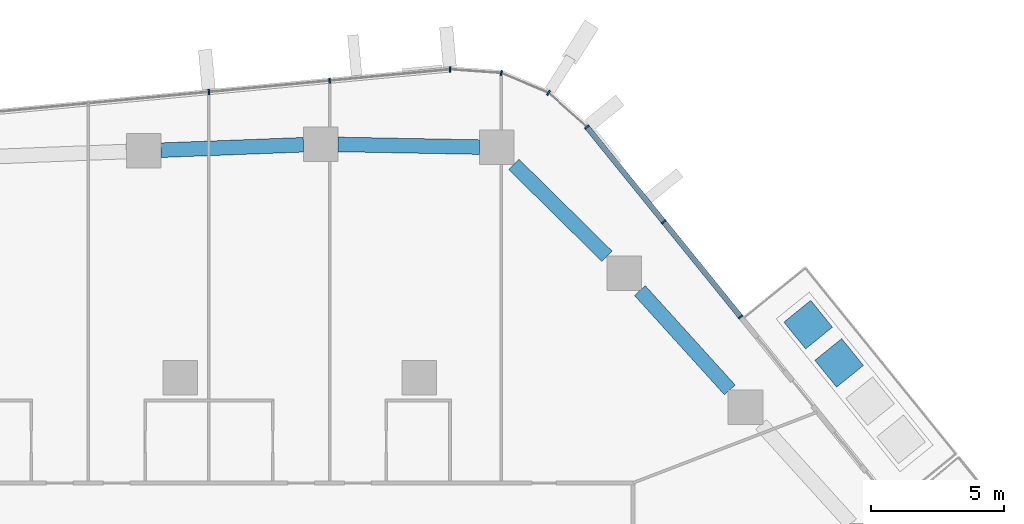
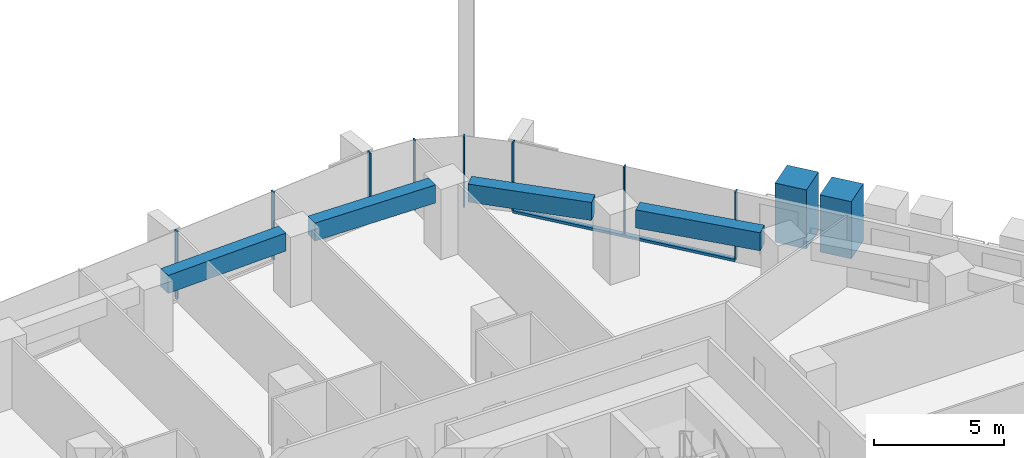
# One storey, part 8 of 24: 11 members, 4 beams, 3 elements without a shape of their own.
"""IFC4 building model written with IfcOpenShell, lengths in metres."""

from ifc_helpers import new_model, si_unit, direction, frame, origin, origin_2d, place, context, subcontext, project, spatial, rectangle, extrude, material, layer, layer_set, material_profile, profile_set, type_object, element, aggregate, save


model = new_model("IFC4")

# Units and contexts
model_context = context("Model", 3, precision=1e-05, world=origin(), true_north=direction((0.0, 1.0)))
body_context = subcontext(model_context, "Body", "Model", "MODEL_VIEW")
ifc_project = project(units=[si_unit("LENGTHUNIT", "METRE"), si_unit("AREAUNIT", "SQUARE_METRE"), si_unit("VOLUMEUNIT", "CUBIC_METRE"), si_unit("PLANEANGLEUNIT", "RADIAN"), si_unit("MASSUNIT", "GRAM", prefix="KILO")], contexts=[model_context])

# Site, building, storey
site_placement = place(None, origin())
site = spatial("IfcSite", under=ifc_project, at=site_placement, CompositionType="ELEMENT")
building_placement = place(site_placement, origin())
building = spatial("IfcBuilding", under=site, at=building_placement, Name="Dongbaek Canopy Tower", CompositionType="ELEMENT")
storey_placement = place(building_placement, frame((0.0, 0.0, 117.39990234375)))
storey = spatial("IfcBuildingStorey", under=building, at=storey_placement, Name="L25", CompositionType="ELEMENT", Elevation=117.39990234375)

# Curtain wall, members
ifc_material_1 = material(Name="Aluminium 6063-T6 pale anodised", Category="aluminium")
ifc_layer = layer(ifc_material_1, 0.199951171875)
ifc_layer_set = layer_set([ifc_layer], Name="CW-1 unitised tower curtain wall")
curtain_wall_type = type_object("IfcCurtainWallType", Name="CW-1 unitised tower curtain wall", PredefinedType="NOTDEFINED", material=ifc_layer_set)
curtain_wall_1_placement = place(storey_placement, origin())
curtain_wall_1 = element("IfcCurtainWall", 1, at=curtain_wall_1_placement, inside=storey, type_object=curtain_wall_type, Name="CW-1 curtain wall F0.1", PredefinedType="NOTDEFINED")
ifc_material_2 = material(Name="Aluminium 6063-T6 pale anodised", Category="aluminium")
ifc_material_profile_1 = material_profile(ifc_material_2, rectangle(XDim=0.199951171875, YDim=0.06005859375, at=origin_2d()), Name="CW-1 mullion 60 x 200")
ifc_profile_set_1 = profile_set([ifc_material_profile_1], Name="Aluminium 6063-T6 pale anodised")
member_type_1 = type_object("IfcMemberType", Name="CW-1 mullion 60 x 200", PredefinedType="MULLION", material=ifc_profile_set_1)
member_1_placement = place(storey_placement, frame((21.099609375, 20.295654296875, 0.1201171875), z_axis=(0.0, 0.0, 1.0), x_axis=(0.777161000453, 0.629301818982, 0.0)))
member_1 = element("IfcMember", 2, at=member_1_placement, type_object=member_type_1, Name="CW-1 mullion F0.1.1", PredefinedType="MULLION", context=body_context, shape_type="SweptSolid", body=[
    extrude(rectangle(XDim=0.199951171875, YDim=0.06005859375, at=origin_2d()), origin(), (0.0, 0.0, 1.0), 3.179931640625),
])
member_2_placement = place(storey_placement, frame((18.203125, 23.87255859375, 0.1201171875), z_axis=(0.0, 0.0, 1.0), x_axis=(0.777161000453, 0.629301818982, 0.0)))
member_2 = element("IfcMember", 3, at=member_2_placement, type_object=member_type_1, Name="CW-1 mullion F0.1.2", PredefinedType="MULLION", context=body_context, shape_type="SweptSolid", body=[
    extrude(rectangle(XDim=0.199951171875, YDim=0.06005859375, at=origin_2d()), origin(), (0.0, 0.0, 1.0), 3.179931640625),
])
member_3_placement = place(storey_placement, frame((15.31201171875, 27.443115234375, 0.1201171875), z_axis=(0.0, 0.0, 1.0), x_axis=(0.777161000453, 0.629301818982, 0.0)))
member_3 = element("IfcMember", 4, at=member_3_placement, type_object=member_type_1, Name="CW-1 mullion F0.1.3", PredefinedType="MULLION", context=body_context, shape_type="SweptSolid", body=[
    extrude(rectangle(XDim=0.199951171875, YDim=0.06005859375, at=origin_2d()), origin(), (0.0, 0.0, 1.0), 3.179931640625),
])

curtain_wall_2_placement = place(storey_placement, origin())
curtain_wall_2 = element("IfcCurtainWall", 5, at=curtain_wall_2_placement, inside=storey, type_object=curtain_wall_type, Name="CW-1 curtain wall K1.1", PredefinedType="NOTDEFINED")
member_4_placement = place(storey_placement, frame((13.865966796875, 28.727294921875, 0.0), z_axis=(0.0, 0.0, 1.0), x_axis=(0.53309103592, 0.846057886566, 0.0)))
member_4 = element("IfcMember", 6, at=member_4_placement, type_object=member_type_1, Name="CW-1 mullion K1.1.2", PredefinedType="MULLION", context=body_context, shape_type="SweptSolid", body=[
    extrude(rectangle(XDim=0.199951171875, YDim=0.06005859375, at=origin_2d()), origin(), (0.0, 0.0, 1.0), 3.300048828125),
])
member_5_placement = place(storey_placement, frame((12.09130859375, 29.47412109375, 0.0), z_axis=(0.0, 0.0, 1.0), x_axis=(0.232218440761, 0.972663660147, 0.0)))
member_5 = element("IfcMember", 7, at=member_5_placement, type_object=member_type_1, Name="CW-1 mullion K1.1.3", PredefinedType="MULLION", context=body_context, shape_type="SweptSolid", body=[
    extrude(rectangle(XDim=0.199951171875, YDim=0.06005859375, at=origin_2d()), origin(), (0.0, 0.0, 1.0), 3.300048828125),
])
member_6_placement = place(storey_placement, frame((10.162353515625, 29.610107421875, 0.0), z_axis=(0.0, 0.0, 1.0), x_axis=(0.070353695471, 0.997522108794, 0.0)))
member_6 = element("IfcMember", 8, at=member_6_placement, type_object=member_type_1, Name="CW-1 mullion K1.1.4", PredefinedType="MULLION", context=body_context, shape_type="SweptSolid", body=[
    extrude(rectangle(XDim=0.199951171875, YDim=0.06005859375, at=origin_2d()), origin(), (0.0, 0.0, 1.0), 3.300048828125),
])
aggregate(curtain_wall_2, [member_4, member_5, member_6])

curtain_wall_3_placement = place(storey_placement, origin())
curtain_wall_3 = element("IfcCurtainWall", 9, at=curtain_wall_3_placement, inside=storey, type_object=curtain_wall_type, Name="CW-1 curtain wall F1.1", PredefinedType="NOTDEFINED")
member_7_placement = place(storey_placement, frame((5.628662109375, 29.184814453125, 0.1201171875), z_axis=(0.0, 0.0, 1.0), x_axis=(-0.093397804951, 0.995628871634, 0.0)))
member_7 = element("IfcMember", 10, at=member_7_placement, type_object=member_type_1, Name="CW-1 mullion F1.1.2", PredefinedType="MULLION", context=body_context, shape_type="SweptSolid", body=[
    extrude(rectangle(XDim=0.199951171875, YDim=0.06005859375, at=origin_2d()), origin(), (0.0, 0.0, 1.0), 3.179931640625),
])
member_8_placement = place(storey_placement, frame((1.0869140625, 28.7587890625, 0.1201171875), z_axis=(0.0, 0.0, 1.0), x_axis=(-0.093397804951, 0.995628871634, 0.0)))
member_8 = element("IfcMember", 11, at=member_8_placement, type_object=member_type_1, Name="CW-1 mullion F1.1.3", PredefinedType="MULLION", context=body_context, shape_type="SweptSolid", body=[
    extrude(rectangle(XDim=0.199951171875, YDim=0.06005859375, at=origin_2d()), origin(), (0.0, 0.0, 1.0), 3.179931640625),
])
aggregate(curtain_wall_3, [member_7, member_8])

# Member
ifc_material_3 = material(Name="Aluminium 6063-T6 pale anodised", Category="aluminium")
ifc_material_profile_2 = material_profile(ifc_material_3, rectangle(XDim=0.199951171875, YDim=0.1201171875, at=origin_2d()), Name="CW-1 transom 120 x 200")
ifc_profile_set_2 = profile_set([ifc_material_profile_2], Name="Aluminium 6063-T6 pale anodised")
member_type_2 = type_object("IfcMemberType", Name="CW-1 transom 120 x 200", PredefinedType="USERDEFINED", material=ifc_profile_set_2)
member_9_placement = place(storey_placement, frame((21.099609375, 20.295654296875, 0.06005859375), z_axis=(-0.629300552765, 0.777162025764, 0.0), x_axis=(-0.777162025764, -0.629300552765, 0.0)))
member_9 = element("IfcMember", 12, at=member_9_placement, type_object=member_type_2, Name="CW-1 transom F0.1.1", ObjectType="TRANSOM", PredefinedType="USERDEFINED", context=body_context, shape_type="SweptSolid", body=[
    extrude(rectangle(XDim=0.199951171875, YDim=0.1201171875, at=origin_2d()), origin(), (0.0, 0.0, 1.0), 9.19677734375),
])

aggregate(curtain_wall_1, [member_1, member_2, member_3, member_9])

# Beams
ifc_material_4 = material(Name="Concrete C80", Category="concrete")
ifc_material_profile_3 = material_profile(ifc_material_4, rectangle(XDim=0.550048828125, YDim=0.85009765625, at=origin_2d()), Name="RC EDGE BEAM 550x850 C80")
ifc_profile_set_3 = profile_set([ifc_material_profile_3], Name="Concrete C80")
beam_type = type_object("IfcBeamType", Name="RC EDGE BEAM 550x850 C80", PredefinedType="BEAM", material=ifc_profile_set_3)
beam_1_placement = place(storey_placement, frame((-0.721923828125, 26.56884765625, 2.875), z_axis=(0.999275939063, 0.03804730751, 0.0), x_axis=(-0.03804730751, 0.999275939063, 0.0)))
element("IfcBeam", 13, at=beam_1_placement, inside=storey, type_object=beam_type, Name="EDGEBEAM:L25:15", PredefinedType="BEAM", context=body_context, shape_type="SweptSolid", body=[
    extrude(rectangle(XDim=0.550048828125, YDim=0.85009765625, at=origin_2d()), origin(), (0.0, 0.0, 1.0), 5.370849609375),
])
beam_2_placement = place(storey_placement, frame((5.945068359375, 26.785888671875, 2.875), z_axis=(0.999824893163, -0.018713177504, 0.0), x_axis=(0.018713177504, 0.999824893163, 0.0)))
element("IfcBeam", 14, at=beam_2_placement, inside=storey, type_object=beam_type, Name="EDGEBEAM:L25:16", PredefinedType="BEAM", context=body_context, shape_type="SweptSolid", body=[
    extrude(rectangle(XDim=0.550048828125, YDim=0.85009765625, at=origin_2d()), origin(), (0.0, 0.0, 1.0), 5.322998046875),
])
beam_3_placement = place(storey_placement, frame((12.56689453125, 26.032470703125, 2.875), z_axis=(0.711707070228, -0.702476366995, 0.0), x_axis=(0.702476366995, 0.711707070228, 0.0)))
element("IfcBeam", 15, at=beam_3_placement, inside=storey, type_object=beam_type, Name="EDGEBEAM:L25:17", PredefinedType="BEAM", context=body_context, shape_type="SweptSolid", body=[
    extrude(rectangle(XDim=0.550048828125, YDim=0.85009765625, at=origin_2d()), origin(), (0.0, 0.0, 1.0), 4.91943359375),
])
beam_4_placement = place(storey_placement, frame((17.306640625, 21.284912109375, 2.875), z_axis=(0.671331632341, -0.741157094966, 0.0), x_axis=(0.741157094966, 0.671331632341, 0.0)))
element("IfcBeam", 16, at=beam_4_placement, inside=storey, type_object=beam_type, Name="EDGEBEAM:L25:18", PredefinedType="BEAM", context=body_context, shape_type="SweptSolid", body=[
    extrude(rectangle(XDim=0.550048828125, YDim=0.85009765625, at=origin_2d()), origin(), (0.0, 0.0, 1.0), 5.041748046875),
])

# Members
ifc_material_5 = material(Name="Concrete C40/50 planter mass with planting", Category="concrete")
ifc_material_profile_4 = material_profile(ifc_material_5, rectangle(XDim=1.300048828125, YDim=1.300048828125, at=origin_2d()), Name="Terrace PLANTER shrub mass 1300 x 1300")
ifc_profile_set_4 = profile_set([ifc_material_profile_4], Name="Concrete C40/50 planter mass with planting")
member_type_3 = type_object("IfcMemberType", Name="Terrace PLANTER shrub mass 1300 x 1300", PredefinedType="USERDEFINED", material=ifc_profile_set_4)
member_10_placement = place(storey_placement, frame((24.8046875, 18.564697265625, 0.420166015625), z_axis=(0.0, 0.0, 1.0), x_axis=(0.777161000453, 0.629301818982, 0.0)))
element("IfcMember", 17, at=member_10_placement, inside=storey, type_object=member_type_3, Name="Planter shrubs L25 1.3", ObjectType="PLANTER", PredefinedType="USERDEFINED", context=body_context, shape_type="SweptSolid", body=[
    extrude(rectangle(XDim=1.300048828125, YDim=1.300048828125, at=origin_2d()), origin(), (0.0, 0.0, 1.0), 2.68994140625),
])
member_11_placement = place(storey_placement, frame((23.6396484375, 20.00341796875, 0.420166015625), z_axis=(0.0, 0.0, 1.0), x_axis=(0.777161000453, 0.629301818982, 0.0)))
element("IfcMember", 18, at=member_11_placement, inside=storey, type_object=member_type_3, Name="Planter shrubs L25 1.4", ObjectType="PLANTER", PredefinedType="USERDEFINED", context=body_context, shape_type="SweptSolid", body=[
    extrude(rectangle(XDim=1.300048828125, YDim=1.300048828125, at=origin_2d()), origin(), (0.0, 0.0, 1.0), 2.780029296875),
])

save(model, "model.ifc")
